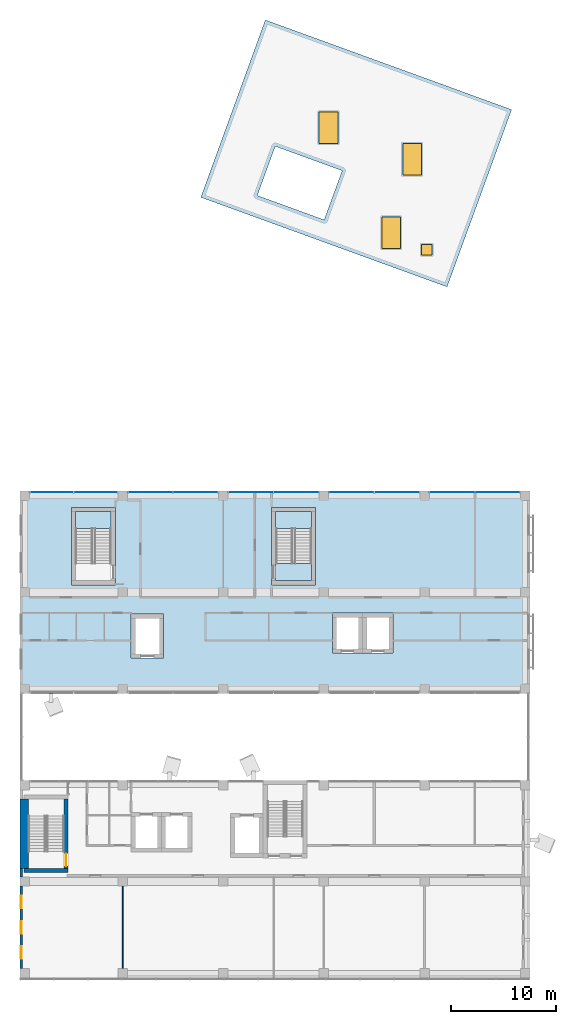
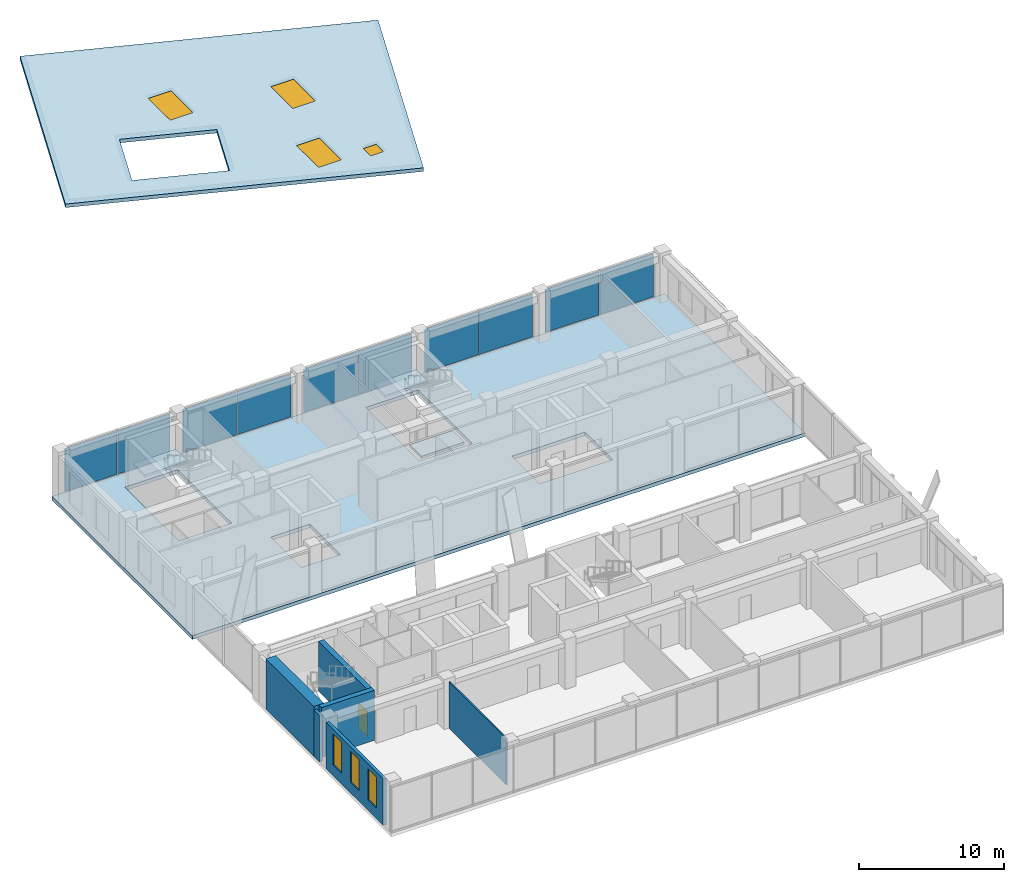
"""IFC4 building model written with IfcOpenShell, lengths in metres."""

from ifc_helpers import new_model, si_unit, direction, frame, frame_2d, origin, origin_2d, place, context, subcontext, project, spatial, polyline, rectangle, outline, extrude, material, layer, layer_set, layer_usage, type_object, element, fill, aggregate, save


model = new_model("IFC4")

# Units and contexts
model_context = context("Model", 3, precision=1e-05, world=origin(), true_north=direction((0.0, 1.0)))
body_context = subcontext(model_context, "Body", "Model", "MODEL_VIEW")
ifc_project = project(units=[si_unit("LENGTHUNIT", "METRE"), si_unit("AREAUNIT", "SQUARE_METRE"), si_unit("VOLUMEUNIT", "CUBIC_METRE"), si_unit("PLANEANGLEUNIT", "RADIAN"), si_unit("MASSUNIT", "GRAM", prefix="KILO")], contexts=[model_context])

# Site, building, storey
site_placement = place(None, origin())
site = spatial("IfcSite", under=ifc_project, at=site_placement, CompositionType="ELEMENT")
building_placement = place(site_placement, origin())
building = spatial("IfcBuilding", under=site, at=building_placement, Name="Nzadi Deep Aquarium and Research Tower", CompositionType="ELEMENT")
storey_1_placement = place(building_placement, frame((0.0, 0.0, 44.5)))
storey_1 = spatial("IfcBuildingStorey", under=building, at=storey_1_placement, Name="L08", CompositionType="ELEMENT", Elevation=44.5)

# Curtain wall, plates
ifc_material_1 = material(Name="Aluminium unitised frame deep", Category="aluminium")
ifc_layer_1 = layer(ifc_material_1, 0.22509765625)
ifc_layer_set_1 = layer_set([ifc_layer_1], Name="Aluminium unitised frame deep")
curtain_wall_type = type_object("IfcCurtainWallType", Name="Curtain wall Unitised Deep 225", PredefinedType="NOTDEFINED", material=ifc_layer_set_1)
curtain_wall_1_placement = place(storey_1_placement, origin())
curtain_wall_1 = element("IfcCurtainWall", 1, at=curtain_wall_1_placement, inside=storey_1, type_object=curtain_wall_type, Name="Unitised curtain wall blade B north L08", PredefinedType="NOTDEFINED")
ifc_material_2 = material(Name="Glass, sage tint", Category="glass")
ifc_layer_2 = layer(ifc_material_2, 0.0400390625)
ifc_layer_set_2 = layer_set([ifc_layer_2], Name="Glass, sage tint")
plate_type = type_object("IfcPlateType", Name="Glazing panel 40 Unitised Deep", PredefinedType="CURTAIN_PANEL", material=ifc_layer_set_2)
plate_1_placement = place(storey_1_placement, frame((2.827392578125, 46.33740234375, 0.139892578125), z_axis=(0.0, 0.0, 1.0), x_axis=(1.0, 0.0, 0.0)))
plate_1 = element("IfcPlate", 2, at=plate_1_placement, type_object=plate_type, Name="CW113 panel 1.1", PredefinedType="CURTAIN_PANEL", context=body_context, shape_type="SweptSolid", body=[
    extrude(rectangle(XDim=4.135009765625, YDim=0.0400390625, at=origin_2d()), origin(), (0.0, 0.0, 1.0), 3.6201171875),
])
plate_2_placement = place(storey_1_placement, frame((7.0224609375, 46.33740234375, 0.139892578125), z_axis=(0.0, 0.0, 1.0), x_axis=(1.0, 0.0, 0.0)))
plate_2 = element("IfcPlate", 3, at=plate_2_placement, type_object=plate_type, Name="CW113 panel 2.1", PredefinedType="CURTAIN_PANEL", context=body_context, shape_type="SweptSolid", body=[
    extrude(rectangle(XDim=4.135009765625, YDim=0.0400390625, at=origin_2d()), origin(), (0.0, 0.0, 1.0), 3.6201171875),
])
aggregate(curtain_wall_1, [plate_1, plate_2])

curtain_wall_2_placement = place(storey_1_placement, origin())
curtain_wall_2 = element("IfcCurtainWall", 4, at=curtain_wall_2_placement, inside=storey_1, type_object=curtain_wall_type, Name="Unitised curtain wall blade B north L08", PredefinedType="NOTDEFINED")
plate_3_placement = place(storey_1_placement, frame((12.239990234375, 46.33740234375, 0.139892578125), z_axis=(0.0, 0.0, 1.0), x_axis=(1.0, 0.0, 0.0)))
plate_3 = element("IfcPlate", 5, at=plate_3_placement, type_object=plate_type, Name="CW114 panel 1.1", PredefinedType="CURTAIN_PANEL", context=body_context, shape_type="SweptSolid", body=[
    extrude(rectangle(XDim=4.260009765625, YDim=0.0400390625, at=origin_2d()), origin(), (0.0, 0.0, 1.0), 3.6201171875),
])
plate_4_placement = place(storey_1_placement, frame((16.56005859375, 46.33740234375, 0.139892578125), z_axis=(0.0, 0.0, 1.0), x_axis=(1.0, 0.0, 0.0)))
plate_4 = element("IfcPlate", 6, at=plate_4_placement, type_object=plate_type, Name="CW114 panel 2.1", PredefinedType="CURTAIN_PANEL", context=body_context, shape_type="SweptSolid", body=[
    extrude(rectangle(XDim=4.260009765625, YDim=0.0400390625, at=origin_2d()), origin(), (0.0, 0.0, 1.0), 3.6201171875),
])
aggregate(curtain_wall_2, [plate_3, plate_4])

curtain_wall_3_placement = place(storey_1_placement, origin())
curtain_wall_3 = element("IfcCurtainWall", 7, at=curtain_wall_3_placement, inside=storey_1, type_object=curtain_wall_type, Name="Unitised curtain wall blade B north L08", PredefinedType="NOTDEFINED")
plate_5_placement = place(storey_1_placement, frame((21.840087890625, 46.33740234375, 0.139892578125), z_axis=(0.0, 0.0, 1.0), x_axis=(1.0, 0.0, 0.0)))
plate_5 = element("IfcPlate", 8, at=plate_5_placement, type_object=plate_type, Name="CW115 panel 1.1", PredefinedType="CURTAIN_PANEL", context=body_context, shape_type="SweptSolid", body=[
    extrude(rectangle(XDim=4.260009765625, YDim=0.0400390625, at=origin_2d()), origin(), (0.0, 0.0, 1.0), 3.6201171875),
])
plate_6_placement = place(storey_1_placement, frame((26.159912109375, 46.33740234375, 0.139892578125), z_axis=(0.0, 0.0, 1.0), x_axis=(1.0, 0.0, 0.0)))
plate_6 = element("IfcPlate", 9, at=plate_6_placement, type_object=plate_type, Name="CW115 panel 2.1", PredefinedType="CURTAIN_PANEL", context=body_context, shape_type="SweptSolid", body=[
    extrude(rectangle(XDim=4.260009765625, YDim=0.0400390625, at=origin_2d()), origin(), (0.0, 0.0, 1.0), 3.6201171875),
])
aggregate(curtain_wall_3, [plate_5, plate_6])

curtain_wall_4_placement = place(storey_1_placement, origin())
curtain_wall_4 = element("IfcCurtainWall", 10, at=curtain_wall_4_placement, inside=storey_1, type_object=curtain_wall_type, Name="Unitised curtain wall blade B north L08", PredefinedType="NOTDEFINED")
plate_7_placement = place(storey_1_placement, frame((31.43994140625, 46.33740234375, 0.139892578125), z_axis=(0.0, 0.0, 1.0), x_axis=(1.0, 0.0, 0.0)))
plate_7 = element("IfcPlate", 11, at=plate_7_placement, type_object=plate_type, Name="CW116 panel 1.1", PredefinedType="CURTAIN_PANEL", context=body_context, shape_type="SweptSolid", body=[
    extrude(rectangle(XDim=4.260009765625, YDim=0.0400390625, at=origin_2d()), origin(), (0.0, 0.0, 1.0), 3.6201171875),
])
plate_8_placement = place(storey_1_placement, frame((35.760009765625, 46.33740234375, 0.139892578125), z_axis=(0.0, 0.0, 1.0), x_axis=(1.0, 0.0, 0.0)))
plate_8 = element("IfcPlate", 12, at=plate_8_placement, type_object=plate_type, Name="CW116 panel 2.1", PredefinedType="CURTAIN_PANEL", context=body_context, shape_type="SweptSolid", body=[
    extrude(rectangle(XDim=4.260009765625, YDim=0.0400390625, at=origin_2d()), origin(), (0.0, 0.0, 1.0), 3.6201171875),
])
aggregate(curtain_wall_4, [plate_7, plate_8])

curtain_wall_5_placement = place(storey_1_placement, origin())
curtain_wall_5 = element("IfcCurtainWall", 13, at=curtain_wall_5_placement, inside=storey_1, type_object=curtain_wall_type, Name="Unitised curtain wall blade B north L08", PredefinedType="NOTDEFINED")
plate_9_placement = place(storey_1_placement, frame((41.0400390625, 46.33740234375, 0.139892578125), z_axis=(0.0, 0.0, 1.0), x_axis=(1.0, 0.0, 0.0)))
plate_9 = element("IfcPlate", 14, at=plate_9_placement, type_object=plate_type, Name="CW117 panel 1.1", PredefinedType="CURTAIN_PANEL", context=body_context, shape_type="SweptSolid", body=[
    extrude(rectangle(XDim=4.260009765625, YDim=0.0400390625, at=origin_2d()), origin(), (0.0, 0.0, 1.0), 3.6201171875),
])
plate_10_placement = place(storey_1_placement, frame((45.360107421875, 46.33740234375, 0.139892578125), z_axis=(0.0, 0.0, 1.0), x_axis=(1.0, 0.0, 0.0)))
plate_10 = element("IfcPlate", 15, at=plate_10_placement, type_object=plate_type, Name="CW117 panel 2.1", PredefinedType="CURTAIN_PANEL", context=body_context, shape_type="SweptSolid", body=[
    extrude(rectangle(XDim=4.260009765625, YDim=0.0400390625, at=origin_2d()), origin(), (0.0, 0.0, 1.0), 3.6201171875),
])
aggregate(curtain_wall_5, [plate_9, plate_10])

# Stair, slab
ifc_material_3 = material(Name="Concrete C35/45", Category="concrete")
stair_type = type_object("IfcStairType", Name="STAIR RETURN 3000", PredefinedType="NOTDEFINED", material=ifc_material_3)
stair_1_placement = place(storey_1_placement, origin())
stair_1 = element("IfcStair", 16, at=stair_1_placement, inside=storey_1, type_object=stair_type, Name="Stair ST-Z1-NW L08", PredefinedType="HALF_TURN_STAIR")
ifc_material_4 = material(Name="Concrete C35/45", Category="concrete")
ifc_layer_3 = layer(ifc_material_4, 0.199951171875)
ifc_layer_set_3 = layer_set([ifc_layer_3], Name="Concrete C35/45")
slab_type_1 = type_object("IfcSlabType", Name="LANDING 200", PredefinedType="LANDING", material=ifc_layer_set_3)
slab_1_placement = place(storey_1_placement, frame((0.0, 0.0, 1.89990234375)))
slab_1 = element("IfcSlab", 17, at=slab_1_placement, type_object=slab_type_1, Name="ST-Z1-NW landing 2", PredefinedType="LANDING", context=body_context, shape_type="SweptSolid", body=[
    extrude(outline(polyline([(5.10009765625, 42.8798828125), (8.5, 42.8798828125), (8.5, 44.5), (5.10009765625, 44.5), (5.10009765625, 42.8798828125)])), origin(), (0.0, 0.0, 1.0), 0.2001953125),
])
aggregate(stair_1, [slab_1])

# Stair, slabs
stair_2_placement = place(storey_1_placement, origin())
stair_2 = element("IfcStair", 18, at=stair_2_placement, inside=storey_1, type_object=stair_type, Name="Stair ST-Z1-NE L08", PredefinedType="HALF_TURN_STAIR")
slab_2_placement = place(storey_1_placement, frame((0.0, 0.0, -0.199951171875)))
slab_2 = element("IfcSlab", 19, at=slab_2_placement, type_object=slab_type_1, Name="ST-Z1-NE landing 1", PredefinedType="LANDING", context=body_context, shape_type="SweptSolid", body=[
    extrude(outline(polyline([(24.199951171875, 37.89990234375), (27.60009765625, 37.89990234375), (27.60009765625, 39.52001953125), (24.199951171875, 39.52001953125), (24.199951171875, 37.89990234375)])), origin(), (0.0, 0.0, 1.0), 0.199951171875),
])
slab_3_placement = place(storey_1_placement, frame((0.0, 0.0, 1.89990234375)))
slab_3 = element("IfcSlab", 20, at=slab_3_placement, type_object=slab_type_1, Name="ST-Z1-NE landing 2", PredefinedType="LANDING", context=body_context, shape_type="SweptSolid", body=[
    extrude(outline(polyline([(24.199951171875, 42.8798828125), (27.60009765625, 42.8798828125), (27.60009765625, 44.5), (24.199951171875, 44.5), (24.199951171875, 42.8798828125)])), origin(), (0.0, 0.0, 1.0), 0.2001953125),
])
aggregate(stair_2, [slab_2, slab_3])

# Slab
ifc_material_5 = material(Name="Concrete C35/45", Category="concrete")
ifc_layer_4 = layer(ifc_material_5, 0.300048828125)
ifc_layer_set_4 = layer_set([ifc_layer_4], Name="Concrete C35/45")
slab_type_2 = type_object("IfcSlabType", Name="RC floor slab 300", PredefinedType="FLOOR", material=ifc_layer_set_4)
slab_4_placement = place(storey_1_placement, frame((0.0, 0.0, -0.300048828125)))
element("IfcSlab", 21, at=slab_4_placement, inside=storey_1, type_object=slab_type_2, Name="Tower floor B L08", PredefinedType="FLOOR", context=body_context, shape_type="SweptSolid", body=[
    extrude(outline(polyline([(-0.199462890625, 27.14990234375), (48.449951171875, 27.14990234375), (48.449951171875, 46.449951171875), (-0.199462890625, 46.449951171875), (-0.199462890625, 27.14990234375)]), holes=[polyline([(8.89990234375, 44.89990234375), (8.89990234375, 37.5), (4.699951171875, 37.5), (4.699951171875, 44.89990234375), (8.89990234375, 44.89990234375)]), polyline([(28.0, 37.5), (23.800048828125, 37.5), (23.800048828125, 44.89990234375), (28.0, 44.89990234375), (28.0, 37.5)]), polyline([(10.39990234375, 30.5), (10.39990234375, 34.699951171875), (13.5, 34.699951171875), (13.5, 30.5), (10.39990234375, 30.5)]), polyline([(29.60009765625, 34.800048828125), (32.5, 34.800048828125), (35.39990234375, 34.800048828125), (35.39990234375, 31.0), (32.5, 31.0), (29.60009765625, 31.0), (29.60009765625, 34.800048828125)])]), origin(), (0.0, 0.0, 1.0), 0.300048828125),
])

# Slab, openings
ifc_material_6 = material(Name="Concrete C40/50", Category="concrete")
ifc_layer_5 = layer(ifc_material_6, 0.300048828125)
ifc_layer_set_5 = layer_set([ifc_layer_5], Name="Concrete C40/50")
slab_type_3 = type_object("IfcSlabType", Name="RC roof slab 300 C40/50", PredefinedType="ROOF", material=ifc_layer_set_5)
slab_5_placement = place(storey_1_placement, frame((0.0, 0.0, 1.199951171875)))
slab_5 = element("IfcSlab", 22, at=slab_5_placement, inside=storey_1, type_object=slab_type_3, Name="Prism roof north", PredefinedType="ROOF", context=body_context, shape_type="SweptSolid", body=[
    extrude(outline(polyline([(23.210205078125, 91.3896484375), (17.053955078125, 74.475341796875), (40.546142578125, 65.9248046875), (46.70263671875, 82.839111328125), (23.210205078125, 91.3896484375)]), holes=[polyline([(28.826171875, 72.31884765625), (22.436279296875, 74.64453125), (24.146484375, 79.343017578125), (30.536376953125, 77.017333984375), (28.826171875, 72.31884765625)])]), origin(), (0.0, 0.0, 1.0), 0.300048828125),
])
opening_1_placement = place(slab_5_placement, frame((35.219970703125, 71.091064453125, 0.0)))
opening_1 = element("IfcOpeningElement", 23, at=opening_1_placement, cuts=slab_5, Name="Opening RL1", PredefinedType="OPENING", context=body_context, shape_type="SweptSolid", body=[
    extrude(rectangle(XDim=1.800048828125, YDim=3.0, at=origin_2d()), origin(), (0.0, 0.0, 1.0), 0.300048828125),
])
opening_2_placement = place(slab_5_placement, frame((37.219970703125, 78.091064453125, 0.0)))
opening_2 = element("IfcOpeningElement", 24, at=opening_2_placement, cuts=slab_5, Name="Opening RL1", PredefinedType="OPENING", context=body_context, shape_type="SweptSolid", body=[
    extrude(rectangle(XDim=1.800048828125, YDim=3.0, at=origin_2d()), origin(), (0.0, 0.0, 1.0), 0.300048828125),
])
opening_3_placement = place(slab_5_placement, frame((29.219970703125, 81.091064453125, 0.0)))
opening_3 = element("IfcOpeningElement", 25, at=opening_3_placement, cuts=slab_5, Name="Opening RL1", PredefinedType="OPENING", context=body_context, shape_type="SweptSolid", body=[
    extrude(rectangle(XDim=1.800048828125, YDim=3.0, at=origin_2d()), origin(), (0.0, 0.0, 1.0), 0.300048828125),
])
opening_4_placement = place(slab_5_placement, frame((38.616943359375, 69.488037109375, 0.0)))
opening_4 = element("IfcOpeningElement", 26, at=opening_4_placement, cuts=slab_5, Name="Opening DE031", PredefinedType="OPENING", context=body_context, shape_type="SweptSolid", body=[
    extrude(rectangle(XDim=1.0, YDim=1.0, at=origin_2d()), origin(), (0.0, 0.0, 1.0), 0.300048828125),
])

# Storey
storey_2_placement = place(building_placement, frame((0.0, 0.0, 31.89990234375)))
storey_2 = spatial("IfcBuildingStorey", under=building, at=storey_2_placement, Name="L05", CompositionType="ELEMENT", Elevation=31.89990234375)

# Door
ifc_material_7 = material(Name="Steel, galvanised", Category="steel")
door_type_1 = type_object("IfcDoorType", Name="Roof access hatch 1000x1000", OperationType="SWING_FIXED_LEFT", PredefinedType="TRAPDOOR", material=ifc_material_7)
door_1_placement = place(opening_4_placement, frame((0.0, 0.0, 0.25)))
door_1 = element("IfcDoor", 27, at=door_1_placement, inside=storey_2, type_object=door_type_1, Name="Roof hatch P21", OperationType="SWING_FIXED_LEFT", OverallHeight=1.0, OverallWidth=1.0, PredefinedType="TRAPDOOR", context=body_context, shape_type="SweptSolid", body=[
    extrude(rectangle(XDim=1.0, YDim=1.0, at=origin_2d()), origin(), (0.0, 0.0, 1.0), 0.050048828125),
])

fill(opening_4, door_1)

# Window
ifc_material_8 = material(Name="Aluminium framed glazing", Category="aluminium")
window_type_1 = type_object("IfcWindowType", Name="Roof light 1800x3000", PartitioningType="SINGLE_PANEL", PredefinedType="SKYLIGHT", material=ifc_material_8)
window_1_placement = place(opening_1_placement, frame((0.0, 0.0, 0.25)))
window_1 = element("IfcWindow", 28, at=window_1_placement, inside=storey_2, type_object=window_type_1, Name="Roof light P21", OverallHeight=3.0, OverallWidth=1.800048828125, PartitioningType="SINGLE_PANEL", PredefinedType="SKYLIGHT", context=body_context, shape_type="SweptSolid", body=[
    extrude(rectangle(XDim=1.800048828125, YDim=3.0, at=origin_2d()), origin(), (0.0, 0.0, 1.0), 0.050048828125),
])

fill(opening_1, window_1)

window_2_placement = place(opening_2_placement, frame((0.0, 0.0, 0.25)))
window_2 = element("IfcWindow", 29, at=window_2_placement, inside=storey_2, type_object=window_type_1, Name="Roof light P22", OverallHeight=3.0, OverallWidth=1.800048828125, PartitioningType="SINGLE_PANEL", PredefinedType="SKYLIGHT", context=body_context, shape_type="SweptSolid", body=[
    extrude(rectangle(XDim=1.800048828125, YDim=3.0, at=origin_2d()), origin(), (0.0, 0.0, 1.0), 0.050048828125),
])

fill(opening_2, window_2)

window_3_placement = place(opening_3_placement, frame((0.0, 0.0, 0.25)))
window_3 = element("IfcWindow", 30, at=window_3_placement, inside=storey_2, type_object=window_type_1, Name="Roof light P23", OverallHeight=3.0, OverallWidth=1.800048828125, PartitioningType="SINGLE_PANEL", PredefinedType="SKYLIGHT", context=body_context, shape_type="SweptSolid", body=[
    extrude(rectangle(XDim=1.800048828125, YDim=3.0, at=origin_2d()), origin(), (0.0, 0.0, 1.0), 0.050048828125),
])

fill(opening_3, window_3)

# Wall
ifc_material_9 = material(Name="Concrete C35/45", Category="concrete")
ifc_layer_6 = layer(ifc_material_9, 0.14990234375, Category="cladding")
ifc_material_10 = material(Name="Mineral wool insulation")
ifc_layer_7 = layer(ifc_material_10, 0.070068359375, Category="insulation")
ifc_material_11 = material(Name="Gypsum board lining")
ifc_layer_8 = layer(ifc_material_11, 0.030029296875, Category="lining")
ifc_layer_set_6 = layer_set([ifc_layer_6, ifc_layer_7, ifc_layer_8], Name="Concrete C35/45, Mineral wool insulation, Gypsum board lining")
ifc_layer_usage_1 = layer_usage(ifc_layer_set_6, "AXIS2", "POSITIVE", -0.125)
wall_type_1 = type_object("IfcWallType", Name="End wall board-formed concrete 250", PredefinedType="ELEMENTEDWALL", material=ifc_layer_set_6)
wall_1_placement = place(storey_1_placement, frame((-0.074462890625, 10.449951171875, 0.0), z_axis=(0.0, 0.0, 1.0), x_axis=(0.0, -1.0, 0.0)))
element("IfcWall", 31, at=wall_1_placement, inside=storey_1, type_object=wall_type_1, material=ifc_layer_usage_1, Name="End wall blade A west L08", PredefinedType="ELEMENTEDWALL", context=body_context, shape_type="SweptSolid", body=[
    extrude(rectangle(XDim=0.800048828125, YDim=0.25, at=frame_2d((0.39990234375, 0.0))), origin(), (0.0, 0.0, 1.0), 3.89990234375),
])

# Wall, openings, windows
ifc_material_12 = material(Name="Graphite aluminium shingle", Category="aluminium")
ifc_layer_9 = layer(ifc_material_12, 0.050048828125, Category="cladding")
ifc_layer_10 = layer(ifc_material_9, 0.10009765625, Category="cladding")
ifc_layer_11 = layer(ifc_material_10, 0.070068359375, Category="insulation")
ifc_layer_12 = layer(ifc_material_11, 0.030029296875, Category="lining")
ifc_layer_set_7 = layer_set([ifc_layer_9, ifc_layer_10, ifc_layer_11, ifc_layer_12], Name="Graphite aluminium shingle, Concrete C35/45, Mineral wool insulation, Gypsum board lining")
ifc_layer_usage_2 = layer_usage(ifc_layer_set_7, "AXIS2", "POSITIVE", -0.125)
wall_type_2 = type_object("IfcWallType", Name="End wall shingle over board-formed concrete 250", PredefinedType="ELEMENTEDWALL", material=ifc_layer_set_7)
wall_2_placement = place(storey_1_placement, frame((-0.074462890625, 8.75, 0.0), z_axis=(0.0, 0.0, 1.0), x_axis=(0.0, -1.0, 0.0)))
wall_2 = element("IfcWall", 32, at=wall_2_placement, inside=storey_1, type_object=wall_type_2, material=ifc_layer_usage_2, Name="End wall blade A west L08", PredefinedType="ELEMENTEDWALL", context=body_context, shape_type="SweptSolid", body=[
    extrude(rectangle(XDim=7.85009765625, YDim=0.25, at=frame_2d((3.925048828125, 0.0))), origin(), (0.0, 0.0, 1.0), 3.89990234375),
])
opening_5_placement = place(wall_2_placement, frame((5.72509765625, 0.0, 0.89990234375)))
opening_5 = element("IfcOpeningElement", 33, at=opening_5_placement, cuts=wall_2, Name="Opening WN04", PredefinedType="OPENING", context=body_context, shape_type="SweptSolid", body=[
    extrude(rectangle(XDim=1.199951171875, YDim=2.60009765625, at=frame_2d((0.60009765625, 1.300048828125))), frame((0.0, 0.135009765625, 0.0), z_axis=(0.0, -1.0, 0.0), x_axis=(1.0, 0.0, 0.0)), (0.0, 0.0, 1.0), 0.27001953125),
])
opening_6_placement = place(wall_2_placement, frame((3.324951171875, 0.0, 0.89990234375)))
opening_6 = element("IfcOpeningElement", 34, at=opening_6_placement, cuts=wall_2, Name="Opening WN04", PredefinedType="OPENING", context=body_context, shape_type="SweptSolid", body=[
    extrude(rectangle(XDim=1.199951171875, YDim=2.60009765625, at=frame_2d((0.60009765625, 1.300048828125))), frame((0.0, 0.135009765625, 0.0), z_axis=(0.0, -1.0, 0.0), x_axis=(1.0, 0.0, 0.0)), (0.0, 0.0, 1.0), 0.27001953125),
])
opening_7_placement = place(wall_2_placement, frame((0.925048828125, 0.0, 0.89990234375)))
opening_7 = element("IfcOpeningElement", 35, at=opening_7_placement, cuts=wall_2, Name="Opening WN04", PredefinedType="OPENING", context=body_context, shape_type="SweptSolid", body=[
    extrude(rectangle(XDim=1.199951171875, YDim=2.60009765625, at=frame_2d((0.60009765625, 1.300048828125))), frame((0.0, 0.135009765625, 0.0), z_axis=(0.0, -1.0, 0.0), x_axis=(1.0, 0.0, 0.0)), (0.0, 0.0, 1.0), 0.27001953125),
])
ifc_material_13 = material(Name="Aluminium window, sage tint glazing", Category="aluminium")
window_type_2 = type_object("IfcWindowType", Name="Slot window 1200x2600 sill 900", PartitioningType="SINGLE_PANEL", PredefinedType="WINDOW", material=ifc_material_13)
window_4_placement = place(opening_5_placement, origin())
window_4 = element("IfcWindow", 36, at=window_4_placement, inside=storey_1, type_object=window_type_2, Name="Slot window L08 AW", OverallHeight=2.60009765625, OverallWidth=1.199951171875, PartitioningType="SINGLE_PANEL", PredefinedType="WINDOW", context=body_context, shape_type="SweptSolid", body=[
    extrude(rectangle(XDim=1.199951171875, YDim=2.60009765625, at=frame_2d((0.60009765625, 1.300048828125))), frame((0.0, 0.030029296875, 0.0), z_axis=(0.0, -1.0, 0.0), x_axis=(1.0, 0.0, 0.0)), (0.0, 0.0, 1.0), 0.06005859375),
])
fill(opening_5, window_4)
window_5_placement = place(opening_6_placement, origin())
window_5 = element("IfcWindow", 37, at=window_5_placement, inside=storey_1, type_object=window_type_2, Name="Slot window L08 AW", OverallHeight=2.60009765625, OverallWidth=1.199951171875, PartitioningType="SINGLE_PANEL", PredefinedType="WINDOW", context=body_context, shape_type="SweptSolid", body=[
    extrude(rectangle(XDim=1.199951171875, YDim=2.60009765625, at=frame_2d((0.60009765625, 1.300048828125))), frame((0.0, 0.030029296875, 0.0), z_axis=(0.0, -1.0, 0.0), x_axis=(1.0, 0.0, 0.0)), (0.0, 0.0, 1.0), 0.06005859375),
])
fill(opening_6, window_5)
window_6_placement = place(opening_7_placement, origin())
window_6 = element("IfcWindow", 38, at=window_6_placement, inside=storey_1, type_object=window_type_2, Name="Slot window L08 AW", OverallHeight=2.60009765625, OverallWidth=1.199951171875, PartitioningType="SINGLE_PANEL", PredefinedType="WINDOW", context=body_context, shape_type="SweptSolid", body=[
    extrude(rectangle(XDim=1.199951171875, YDim=2.60009765625, at=frame_2d((0.60009765625, 1.300048828125))), frame((0.0, 0.030029296875, 0.0), z_axis=(0.0, -1.0, 0.0), x_axis=(1.0, 0.0, 0.0)), (0.0, 0.0, 1.0), 0.06005859375),
])
fill(opening_7, window_6)

# Walls
ifc_material_14 = material(Name="Blockwork masonry", Category="masonry")
ifc_layer_13 = layer(ifc_material_14, 0.10009765625)
ifc_layer_set_8 = layer_set([ifc_layer_13], Name="Blockwork masonry")
wall_type_3 = type_object("IfcWallType", Name="Partition 100 EI 30", PredefinedType="PARTITIONING", material=ifc_layer_set_8)
wall_3_placement = place(storey_1_placement, frame((9.60009765625, 0.89990234375, 0.0), z_axis=(0.0, 0.0, 1.0), x_axis=(0.0, 1.0, 0.0)))
element("IfcWall", 39, at=wall_3_placement, inside=storey_1, type_object=wall_type_3, Name="W-Z1-L08-P017", PredefinedType="PARTITIONING", context=body_context, shape_type="SweptSolid", body=[
    extrude(rectangle(XDim=7.85009765625, YDim=0.10009765625, at=frame_2d((3.925048828125, 0.0))), origin(), (0.0, 0.0, 1.0), 3.89990234375),
])
ifc_material_15 = material(Name="Concrete C35/45", Category="concrete")
ifc_layer_14 = layer(ifc_material_15, 0.39990234375)
ifc_layer_set_9 = layer_set([ifc_layer_14], Name="Concrete C35/45")
wall_type_4 = type_object("IfcWallType", Name="RC core wall 400", PredefinedType="SHEAR", material=ifc_layer_set_9)
wall_4_placement = place(storey_1_placement, frame((0.199951171875, 10.25, 0.0), z_axis=(0.0, 0.0, 1.0), x_axis=(1.0, 0.0, 0.0)))
element("IfcWall", 40, at=wall_4_placement, inside=storey_1, type_object=wall_type_4, Name="W-CORE-ST-Z1-SW-L08-S", PredefinedType="SHEAR", context=body_context, shape_type="SweptSolid", body=[
    extrude(rectangle(XDim=4.199951171875, YDim=0.39990234375, at=frame_2d((2.10009765625, 0.0))), origin(), (0.0, 0.0, 1.0), 4.199951171875),
])

# Wall, opening, door
wall_5_placement = place(storey_1_placement, frame((4.199951171875, 10.449951171875, 0.0), z_axis=(0.0, 0.0, 1.0), x_axis=(0.0, 1.0, 0.0)))
wall_5 = element("IfcWall", 41, at=wall_5_placement, inside=storey_1, type_object=wall_type_4, Name="W-CORE-ST-Z1-SW-L08-E", PredefinedType="SHEAR", context=body_context, shape_type="SweptSolid", body=[
    extrude(rectangle(XDim=6.60009765625, YDim=0.39990234375, at=frame_2d((3.300048828125, 0.0))), origin(), (0.0, 0.0, 1.0), 4.199951171875),
])
opening_8_placement = place(wall_5_placement, frame((0.2099609375, 0.0, 0.0)))
opening_8 = element("IfcOpeningElement", 42, at=opening_8_placement, cuts=wall_5, Name="Opening DS-Z1-SW-L08", PredefinedType="OPENING", context=body_context, shape_type="SweptSolid", body=[
    extrude(rectangle(XDim=1.199951171875, YDim=2.10009765625, at=frame_2d((0.60009765625, 1.050048828125))), frame((0.0, 0.2099609375, 0.0), z_axis=(0.0, -1.0, 0.0), x_axis=(1.0, 0.0, 0.0)), (0.0, 0.0, 1.0), 0.419921875),
])
ifc_material_16 = material(Name="Steel, powder coated", Category="steel")
door_type_2 = type_object("IfcDoorType", Name="STAIR DOOR 1200x2100 EI 60", OperationType="SINGLE_SWING_LEFT", PredefinedType="DOOR", material=ifc_material_16)
door_2_placement = place(opening_8_placement, origin())
door_2 = element("IfcDoor", 43, at=door_2_placement, inside=storey_1, type_object=door_type_2, Name="Stair door ST-Z1-SW L08", OperationType="SINGLE_SWING_RIGHT", OverallHeight=2.10009765625, OverallWidth=1.199951171875, PredefinedType="DOOR", context=body_context, shape_type="SweptSolid", body=[
    extrude(rectangle(XDim=1.199951171875, YDim=2.10009765625, at=frame_2d((0.60009765625, 1.050048828125))), frame((0.0, 0.02490234375, 0.0), z_axis=(0.0, -1.0, 0.0), x_axis=(1.0, 0.0, 0.0)), (0.0, 0.0, 1.0), 0.050048828125),
])
fill(opening_8, door_2)

# Wall
ifc_material_17 = material(Name="Concrete C35/45", Category="concrete")
ifc_layer_15 = layer(ifc_material_17, 0.800048828125)
ifc_layer_set_10 = layer_set([ifc_layer_15], Name="Concrete C35/45")
wall_type_5 = type_object("IfcWallType", Name="RC core wall 800", PredefinedType="SHEAR", material=ifc_layer_set_10)
wall_6_placement = place(storey_1_placement, frame((0.200439453125, 10.449951171875, 0.0), z_axis=(0.0, 0.0, 1.0), x_axis=(0.0, 1.0, 0.0)))
element("IfcWall", 44, at=wall_6_placement, inside=storey_1, type_object=wall_type_5, Name="W-CORE-ST-Z1-SW-L08-W", PredefinedType="SHEAR", context=body_context, shape_type="SweptSolid", body=[
    extrude(rectangle(XDim=6.60009765625, YDim=0.800048828125, at=frame_2d((3.300048828125, 0.0))), origin(), (0.0, 0.0, 1.0), 4.199951171875),
])

save(model, "model.ifc")
